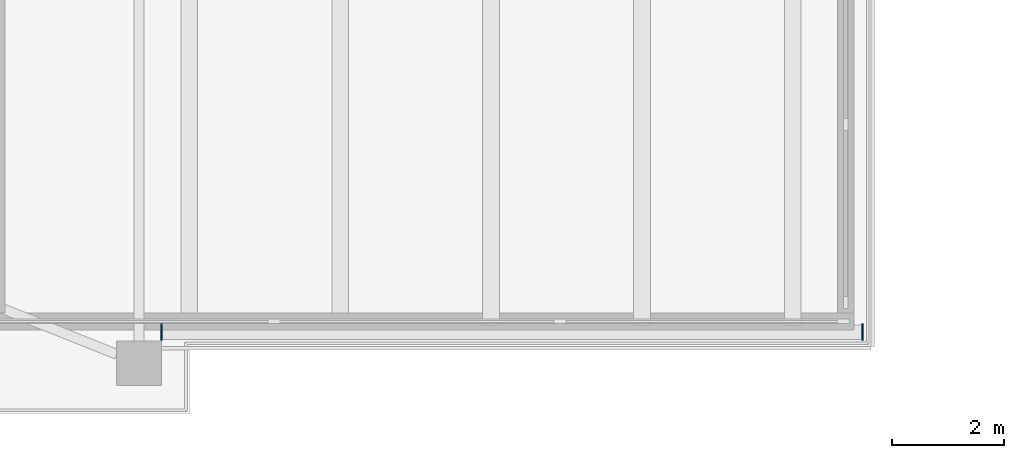
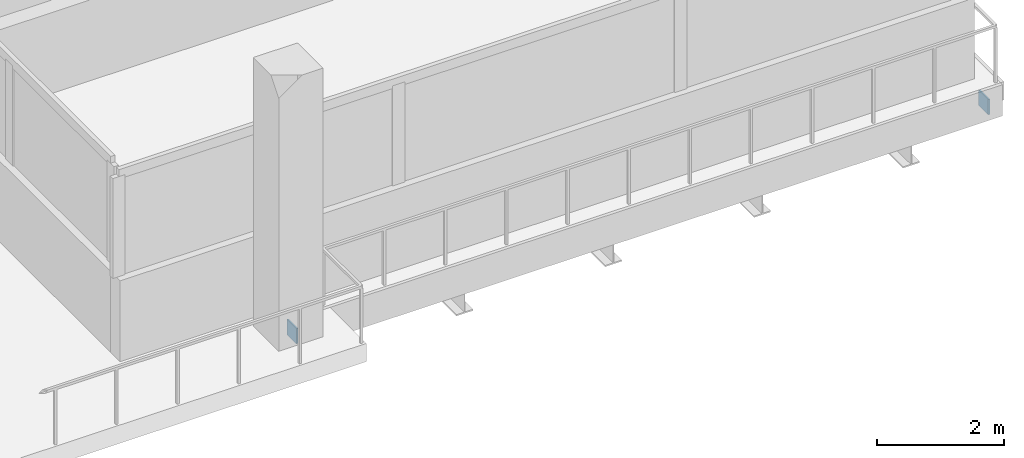
# One storey, part 11 of 14: 2 discrete accessories.
"""IFC4 building model written with IfcOpenShell, lengths in metres."""

from ifc_helpers import new_model, si_unit, direction, frame, origin, origin_2d, place, context, subcontext, project, spatial, rectangle, extrude, material, type_object, element, save


model = new_model("IFC4")

# Units and contexts
model_context = context("Model", 3, precision=1e-05, world=origin(), true_north=direction((0.0, 1.0)))
body_context = subcontext(model_context, "Body", "Model", "MODEL_VIEW")
ifc_project = project(units=[si_unit("LENGTHUNIT", "METRE"), si_unit("AREAUNIT", "SQUARE_METRE"), si_unit("VOLUMEUNIT", "CUBIC_METRE"), si_unit("PLANEANGLEUNIT", "RADIAN"), si_unit("MASSUNIT", "GRAM", prefix="KILO")], contexts=[model_context])

# Site, building, storey
site_placement = place(None, origin())
site = spatial("IfcSite", under=ifc_project, at=site_placement, CompositionType="ELEMENT")
building_placement = place(site_placement, origin())
building = spatial("IfcBuilding", under=site, at=building_placement, Name="Perihelion Cross Residences", CompositionType="ELEMENT")
storey_placement = place(building_placement, frame((0.0, 0.0, 285.0)))
storey = spatial("IfcBuildingStorey", under=building, at=storey_placement, Name="L73", CompositionType="ELEMENT", Elevation=285.0)

# Discrete accessories
ifc_material = material(Name="Steel S355", Category="steel")
discrete_accessory_type = type_object("IfcDiscreteAccessoryType", Name="End plate 500 x 500 x 50, steel S355", PredefinedType="BRACKET", material=ifc_material)
for number, where, z_axis, x_axis, name in (
    (1, (30.050048828125, -16.54296875, -0.6240234375), (0.0, 0.0, 1.0), (1.0, 0.0, 0.0), "End plate 500 x 500 x 50"),
    (2, (17.5, -16.54296875, -0.6240234375), (0.0, 0.0, 1.0), (1.0, 0.0, 0.0), "End plate 500 x 500 x 50"),
):
    element("IfcDiscreteAccessory", number, at=place(storey_placement, frame(where, z_axis=z_axis, x_axis=x_axis)), inside=storey, type_object=discrete_accessory_type, Name=name, PredefinedType="BRACKET", context=body_context, shape_type="SweptSolid", body=[
        extrude(rectangle(XDim=0.030029296875, YDim=0.2939453125, at=origin_2d()), origin(), (0.0, 0.0, 1.0), 0.2939453125),
    ])

save(model, "model.ifc")
